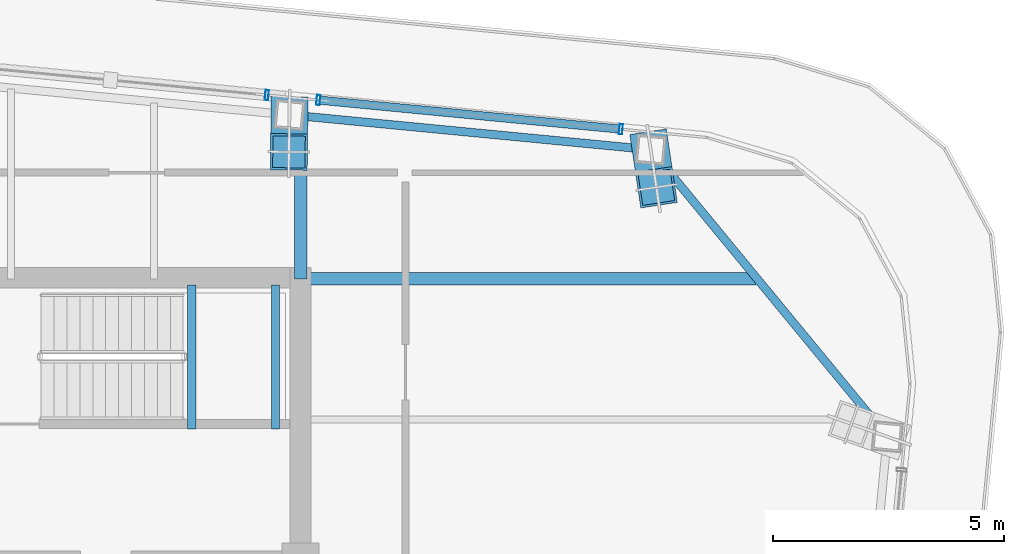
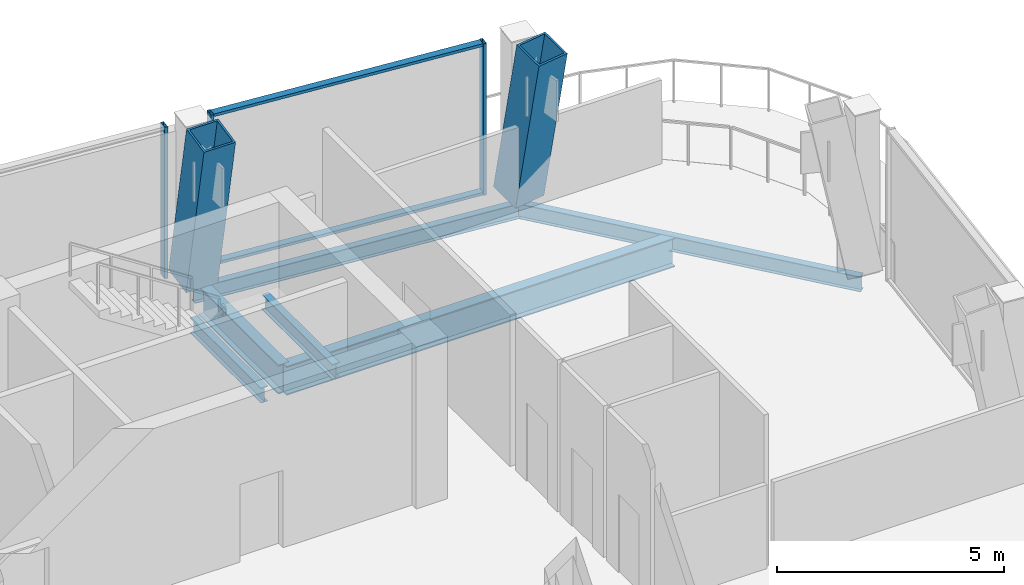
# One storey, part 10 of 19: 7 members, 6 beams, 2 elements without a shape of their own.
"""IFC4 building model written with IfcOpenShell, lengths in metres."""

from ifc_helpers import new_model, si_unit, direction, frame, origin, origin_2d, place, context, subcontext, project, spatial, hollow_rectangle, i_section, extrude, material, layer, layer_set, material_profile, profile_set, type_object, element, aggregate, save


model = new_model("IFC4")

# Units and contexts
model_context = context("Model", 3, precision=1e-05, world=origin(), true_north=direction((0.0, 1.0)))
body_context = subcontext(model_context, "Body", "Model", "MODEL_VIEW")
ifc_project = project(units=[si_unit("LENGTHUNIT", "METRE"), si_unit("AREAUNIT", "SQUARE_METRE"), si_unit("VOLUMEUNIT", "CUBIC_METRE"), si_unit("PLANEANGLEUNIT", "RADIAN"), si_unit("MASSUNIT", "GRAM", prefix="KILO")], contexts=[model_context])

# Site, building, storey
site_placement = place(None, origin())
site = spatial("IfcSite", under=ifc_project, at=site_placement, CompositionType="ELEMENT")
building_placement = place(site_placement, origin())
building = spatial("IfcBuilding", under=site, at=building_placement, Name="Qhalaya Broadcast Tower", CompositionType="ELEMENT")
storey_placement = place(building_placement, frame((0.0, 0.0, 280.550048828125)))
storey = spatial("IfcBuildingStorey", under=building, at=storey_placement, Name="L83", CompositionType="ELEMENT", Elevation=280.550048828125)

# Beams
ifc_material_1 = material(Name="Structural Steel ASTM A992 Grade 50", Category="steel")
ifc_material_profile_1 = material_profile(ifc_material_1, i_section(OverallWidth=0.26708984375, OverallDepth=0.780029296875, WebThickness=0.0166015625, FlangeThickness=0.030029296875, at=origin_2d()), Name="W30X148")
ifc_profile_set_1 = profile_set([ifc_material_profile_1], Name="Structural Steel ASTM A992 Grade 50")
beam_type_1 = type_object("IfcBeamType", Name="Neck & Crown Primary Girder PG5", PredefinedType="USERDEFINED", material=ifc_profile_set_1)
beam_1_placement = place(storey_placement, frame((9.375, 9.949951171875, -0.580078125), z_axis=(0.0, 1.0, 0.0), x_axis=(-1.0, 0.0, 0.0)))
element("IfcBeam", 1, at=beam_1_placement, inside=storey, type_object=beam_type_1, Name="L83 PG5 L83-PGXN2-1", ObjectType="GIRDER", PredefinedType="USERDEFINED", context=body_context, shape_type="SweptSolid", body=[
    extrude(i_section(OverallWidth=0.26708984375, OverallDepth=0.780029296875, WebThickness=0.0166015625, FlangeThickness=0.030029296875, at=origin_2d()), origin(), (0.0, 0.0, 1.0), 3.509033203125),
])
beam_2_placement = place(storey_placement, frame((9.375, 9.949951171875, -0.580078125), z_axis=(1.0, 0.0, 0.0), x_axis=(0.0, 1.0, 0.0)))
element("IfcBeam", 2, at=beam_2_placement, inside=storey, type_object=beam_type_1, Name="L83 PG5 L83-PGYE4-1", ObjectType="GIRDER", PredefinedType="USERDEFINED", context=body_context, shape_type="SweptSolid", body=[
    extrude(i_section(OverallWidth=0.26708984375, OverallDepth=0.780029296875, WebThickness=0.0166015625, FlangeThickness=0.030029296875, at=origin_2d()), origin(), (0.0, 0.0, 1.0), 9.868896484375),
])

# Curtain wall, members
ifc_material_2 = material(Name="Solar-Control Low-E Triple Glazing", Category="glass")
ifc_layer = layer(ifc_material_2, 0.219970703125, Name="Solar-Control Low-E Triple Glazing")
ifc_layer_set = layer_set([ifc_layer], Name="Solar-Control Low-E Triple Glazing")
curtain_wall_type = type_object("IfcCurtainWallType", Name="Crown Garden & Observation Windscreen Curtain Wall CW-06", PredefinedType="NOTDEFINED", material=ifc_layer_set)
curtain_wall_1_placement = place(storey_placement, origin())
curtain_wall_1 = element("IfcCurtainWall", 3, at=curtain_wall_1_placement, inside=storey, type_object=curtain_wall_type, Name="L83 Unitised Curtain Wall L83-CW-N1", PredefinedType="NOTDEFINED")
ifc_material_3 = material(Name="Anodised Aluminium 6063-T6", Category="aluminium")
ifc_material_profile_2 = material_profile(ifc_material_3, hollow_rectangle(XDim=0.074951171875, YDim=0.219970703125, WallThickness=0.00390625, at=origin_2d()), Name="ALU-MUL 75x220x4")
ifc_profile_set_2 = profile_set([ifc_material_profile_2], Name="Anodised Aluminium 6063-T6")
member_type_1 = type_object("IfcMemberType", Name="Unitised Curtain-Wall Mullion M01", PredefinedType="MULLION", material=ifc_profile_set_2)
member_1_placement = place(storey_placement, frame((16.315185546875, 13.192626953125, 0.0), z_axis=(0.0, 0.0, 1.0), x_axis=(-0.995396507194, 0.095842545179, 0.0)))
member_1 = element("IfcMember", 4, at=member_1_placement, type_object=member_type_1, Name="CW-06 mullion 1", PredefinedType="MULLION", context=body_context, shape_type="SweptSolid", body=[
    extrude(hollow_rectangle(XDim=0.074951171875, YDim=0.219970703125, WallThickness=0.00390625, at=origin_2d()), origin(), (0.0, 0.0, 1.0), 4.070068359375),
])
member_2_placement = place(storey_placement, frame((9.758544921875, 13.823974609375, 0.0), z_axis=(0.0, 0.0, 1.0), x_axis=(-0.995396507194, 0.095842545179, 0.0)))
member_2 = element("IfcMember", 5, at=member_2_placement, type_object=member_type_1, Name="CW-06 mullion 2", PredefinedType="MULLION", context=body_context, shape_type="SweptSolid", body=[
    extrude(hollow_rectangle(XDim=0.074951171875, YDim=0.219970703125, WallThickness=0.00390625, at=origin_2d()), origin(), (0.0, 0.0, 1.0), 4.070068359375),
])

# Curtain wall, member
curtain_wall_2_placement = place(storey_placement, origin())
curtain_wall_2 = element("IfcCurtainWall", 6, at=curtain_wall_2_placement, inside=storey, type_object=curtain_wall_type, Name="L83 Unitised Curtain Wall L83-CW-N2", PredefinedType="NOTDEFINED")
member_3_placement = place(storey_placement, frame((8.642578125, 13.931396484375, 0.0), z_axis=(0.0, 0.0, 1.0), x_axis=(-0.995396218393, 0.095845544549, 0.0)))
member_3 = element("IfcMember", 7, at=member_3_placement, type_object=member_type_1, Name="CW-06 mullion 1", PredefinedType="MULLION", context=body_context, shape_type="SweptSolid", body=[
    extrude(hollow_rectangle(XDim=0.074951171875, YDim=0.219970703125, WallThickness=0.00390625, at=origin_2d()), origin(), (0.0, 0.0, 1.0), 4.070068359375),
])
aggregate(curtain_wall_2, [member_3])

# Member
ifc_material_profile_3 = material_profile(ifc_material_3, hollow_rectangle(XDim=0.074951171875, YDim=0.179931640625, WallThickness=0.00390625, at=origin_2d()), Name="ALU-TRN 75x180x4")
ifc_profile_set_3 = profile_set([ifc_material_profile_3], Name="Anodised Aluminium 6063-T6")
member_type_2 = type_object("IfcMemberType", Name="Unitised Curtain-Wall Transom T01", PredefinedType="USERDEFINED", material=ifc_profile_set_3)
member_4_placement = place(storey_placement, frame((16.27783203125, 13.1962890625, 0.037353515625), z_axis=(-0.995398238727, 0.095824560212, 0.0), x_axis=(0.0, 0.0, 1.0)))
member_4 = element("IfcMember", 8, at=member_4_placement, type_object=member_type_2, Name="CW-06 transom 1.1", ObjectType="TRANSOM", PredefinedType="USERDEFINED", context=body_context, shape_type="SweptSolid", body=[
    extrude(hollow_rectangle(XDim=0.074951171875, YDim=0.179931640625, WallThickness=0.00390625, at=origin_2d()), origin(), (0.0, 0.0, 1.0), 6.51220703125),
])

member_5_placement = place(storey_placement, frame((16.27783203125, 13.1962890625, 4.032470703125), z_axis=(-0.995398238727, 0.095824560212, 0.0), x_axis=(0.0, 0.0, 1.0)))
member_5 = element("IfcMember", 9, at=member_5_placement, type_object=member_type_2, Name="CW-06 transom 1.2", ObjectType="TRANSOM", PredefinedType="USERDEFINED", context=body_context, shape_type="SweptSolid", body=[
    extrude(hollow_rectangle(XDim=0.074951171875, YDim=0.179931640625, WallThickness=0.00390625, at=origin_2d()), origin(), (0.0, 0.0, 1.0), 6.51220703125),
])

aggregate(curtain_wall_1, [member_1, member_2, member_4, member_5])

# Members
ifc_material_4 = material(Name="Structural Steel ASTM A572 Grade 50", Category="steel")
ifc_material_profile_4 = material_profile(ifc_material_4, hollow_rectangle(XDim=0.800048828125, YDim=0.800048828125, WallThickness=0.050048828125, at=origin_2d()), Name="BOX 800x800x50")
ifc_profile_set_4 = profile_set([ifc_material_profile_4], Name="Structural Steel ASTM A572 Grade 50")
member_type_3 = type_object("IfcMemberType", Name="Upper Exoskeleton Transfer Strut RK2", PredefinedType="BRACE", material=ifc_profile_set_4)
member_6_placement = place(storey_placement, frame((16.962890625, 12.74853515625, 0.0859375), z_axis=(0.028220341434, -0.187760837432, 0.981809289147), x_axis=(0.988892876387, 0.14863000717, 0.0)))
element("IfcMember", 10, at=member_6_placement, inside=storey, type_object=member_type_3, Name="L83 Inclined Exoskeleton Transfer Strut 09", PredefinedType="BRACE", context=body_context, shape_type="SweptSolid", body=[
    extrude(hollow_rectangle(XDim=0.800048828125, YDim=0.800048828125, WallThickness=0.050048828125, at=origin_2d()), origin(), (0.0, 0.0, 1.0), 4.343017578125),
])
member_7_placement = place(storey_placement, frame((9.132568359375, 13.50244140625, 0.083984375), z_axis=(-0.002362241949, -0.184929798256, 0.982748894443), x_axis=(0.999918425988, -0.012772680624, 0.0)))
element("IfcMember", 11, at=member_7_placement, inside=storey, type_object=member_type_3, Name="L83 Inclined Exoskeleton Transfer Strut 10", PredefinedType="BRACE", context=body_context, shape_type="SweptSolid", body=[
    extrude(hollow_rectangle(XDim=0.800048828125, YDim=0.800048828125, WallThickness=0.050048828125, at=origin_2d()), origin(), (0.0, 0.0, 1.0), 4.3408203125),
])

# Beams
ifc_material_profile_5 = material_profile(ifc_material_1, i_section(OverallWidth=0.177978515625, OverallDepth=0.406005859375, WebThickness=0.0078125, FlangeThickness=0.0126953125, at=origin_2d()), Name="W16X40")
ifc_profile_set_5 = profile_set([ifc_material_profile_5], Name="Structural Steel ASTM A992 Grade 50")
beam_type_2 = type_object("IfcBeamType", Name="Upper Perimeter Spandrel Beam SP2", PredefinedType="SPANDREL", material=ifc_profile_set_5)
beam_3_placement = place(storey_placement, frame((22.09033203125, 6.5283203125, -0.39306640625), z_axis=(-0.636070241972, 0.771631160126, 0.0), x_axis=(-0.771631160126, -0.636070241972, 0.0)))
element("IfcBeam", 12, at=beam_3_placement, inside=storey, type_object=beam_type_2, Name="L83 SP2 L83-SPR-08", PredefinedType="SPANDREL", context=body_context, shape_type="SweptSolid", body=[
    extrude(i_section(OverallWidth=0.177978515625, OverallDepth=0.406005859375, WebThickness=0.0078125, FlangeThickness=0.0126953125, at=origin_2d()), origin(), (0.0, 0.0, 1.0), 8.06103515625),
])
beam_4_placement = place(storey_placement, frame((16.962890625, 12.74853515625, -0.39306640625), z_axis=(-0.995397023367, 0.095837184179, 0.0), x_axis=(-0.095837184179, -0.995397023367, 0.0)))
element("IfcBeam", 13, at=beam_4_placement, inside=storey, type_object=beam_type_2, Name="L83 SP2 L83-SPR-09", PredefinedType="SPANDREL", context=body_context, shape_type="SweptSolid", body=[
    extrude(i_section(OverallWidth=0.177978515625, OverallDepth=0.406005859375, WebThickness=0.0078125, FlangeThickness=0.0126953125, at=origin_2d()), origin(), (0.0, 0.0, 1.0), 7.866455078125),
])
for number, where, z_axis, x_axis, name in (
    (14, (7.014892578125, 6.699951171875, 1.77197265625), (0.0, 1.0, 0.0), (-1.0, 0.0, 0.0), "L83 ST-1 Half-Landing Bearer Beam 1"),
    (15, (8.830078125, 6.699951171875, 1.77197265625), (0.0, 1.0, 0.0), (-1.0, 0.0, 0.0), "L83 ST-1 Half-Landing Bearer Beam 2"),
):
    element("IfcBeam", number, at=place(storey_placement, frame(where, z_axis=z_axis, x_axis=x_axis)), inside=storey, type_object=beam_type_2, Name=name, PredefinedType="SPANDREL", context=body_context, shape_type="SweptSolid", body=[
        extrude(i_section(OverallWidth=0.177978515625, OverallDepth=0.406005859375, WebThickness=0.0078125, FlangeThickness=0.0126953125, at=origin_2d()), origin(), (0.0, 0.0, 1.0), 3.1201171875),
    ])

save(model, "model.ifc")
